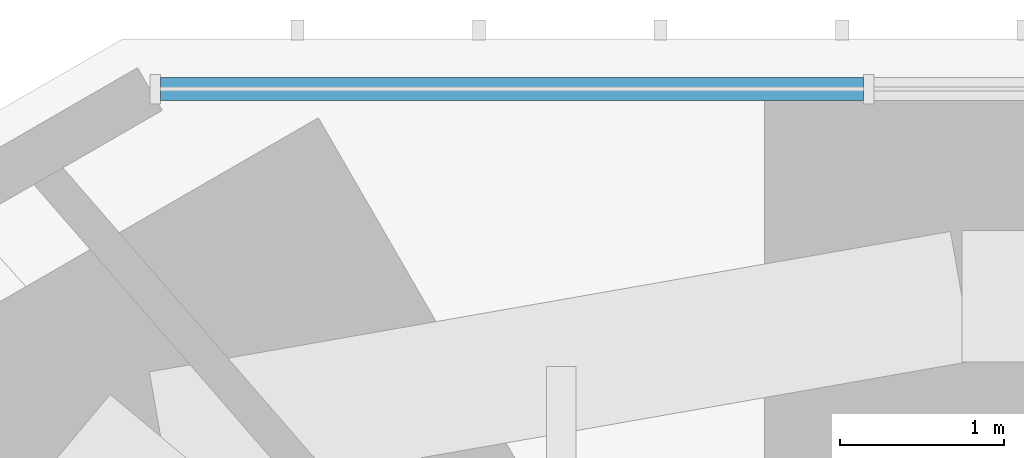
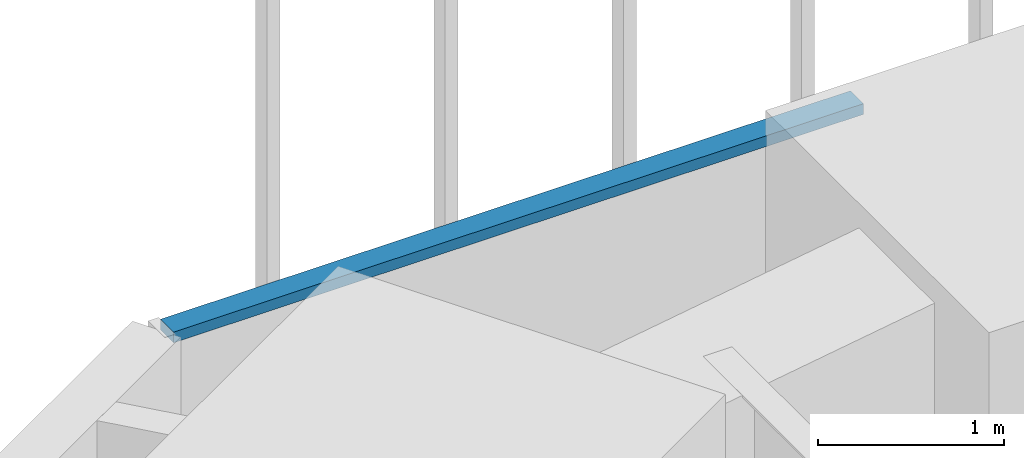
# One storey, part 164 of 256: 1 member, 1 element without a shape of its own.
"""IFC4 building model written with IfcOpenShell, lengths in metres."""

from ifc_helpers import new_model, si_unit, direction, frame, origin, origin_2d, place, context, subcontext, project, spatial, rectangle, extrude, material, material_profile, profile_set, type_object, element, aggregate, save


model = new_model("IFC4")

# Units and contexts
model_context = context("Model", 3, precision=1e-05, world=origin(), true_north=direction((0.0, 1.0)))
body_context = subcontext(model_context, "Body", "Model", "MODEL_VIEW")
ifc_project = project(units=[si_unit("LENGTHUNIT", "METRE"), si_unit("AREAUNIT", "SQUARE_METRE"), si_unit("VOLUMEUNIT", "CUBIC_METRE"), si_unit("PLANEANGLEUNIT", "RADIAN"), si_unit("MASSUNIT", "GRAM", prefix="KILO")], contexts=[model_context])

# Site, building, storey
site_placement = place(None, origin())
site = spatial("IfcSite", under=ifc_project, at=site_placement, CompositionType="ELEMENT")
building_placement = place(site_placement, origin())
building = spatial("IfcBuilding", under=site, at=building_placement, Name="Sandreach Pilgrim Tower", CompositionType="ELEMENT")
storey_placement = place(building_placement, frame((0.0, 0.0, 23.0)))
storey = spatial("IfcBuildingStorey", under=building, at=storey_placement, Name="L04", CompositionType="ELEMENT", Elevation=23.0)

# Curtain wall, member
ifc_material_1 = material(Name="Aluminium framed curtain wall", Category="aluminium")
curtain_wall_type = type_object("IfcCurtainWallType", Name="Hostel tower curtain wall", PredefinedType="NOTDEFINED", material=ifc_material_1)
curtain_wall_placement = place(storey_placement, origin())
curtain_wall = element("IfcCurtainWall", 1, at=curtain_wall_placement, inside=storey, type_object=curtain_wall_type, Name="CW-1 L04 N", PredefinedType="NOTDEFINED")
ifc_material_2 = material(Name="Aluminium extrusion", Category="aluminium")
ifc_material_profile = material_profile(ifc_material_2, rectangle(XDim=0.139892578125, YDim=0.070068359375, at=origin_2d()), Name="CW-1T 140X70")
ifc_profile_set = profile_set([ifc_material_profile], Name="Aluminium extrusion")
member_type = type_object("IfcMemberType", Name="CW-1 transom", PredefinedType="USERDEFINED", material=ifc_profile_set)
member_placement = place(storey_placement, frame((-19.607177734375, 23.94873046875, 3.60498046875), z_axis=(1.0, 0.0, 0.0), x_axis=(0.0, 1.0, 0.0)))
member = element("IfcMember", 2, at=member_placement, type_object=member_type, Name="CW-1 head transom 1", ObjectType="TRANSOM", PredefinedType="USERDEFINED", context=body_context, shape_type="SweptSolid", body=[
    extrude(rectangle(XDim=0.139892578125, YDim=0.070068359375, at=origin_2d()), origin(), (0.0, 0.0, 1.0), 4.274169921875),
])
aggregate(curtain_wall, [member])

save(model, "model.ifc")
